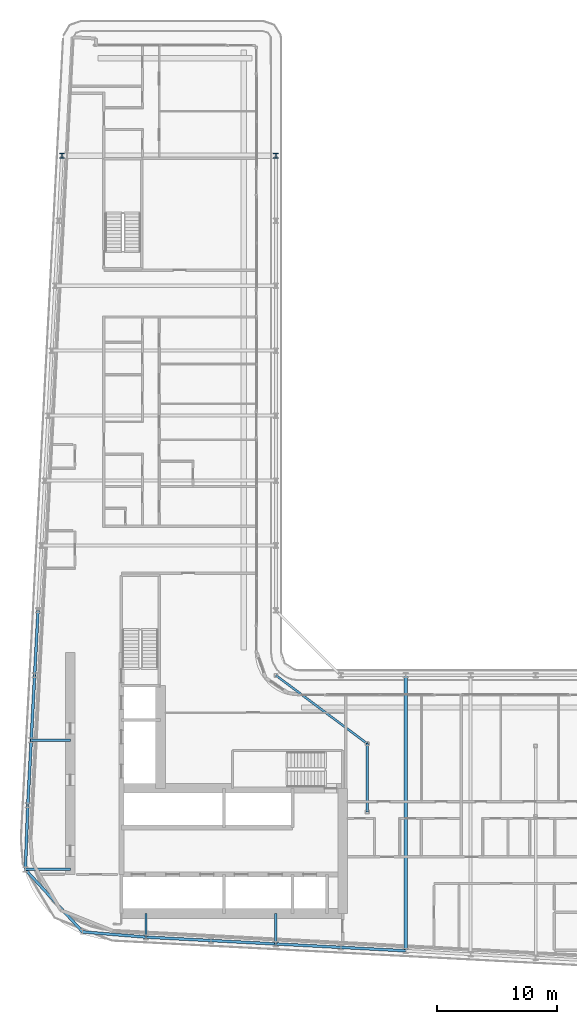
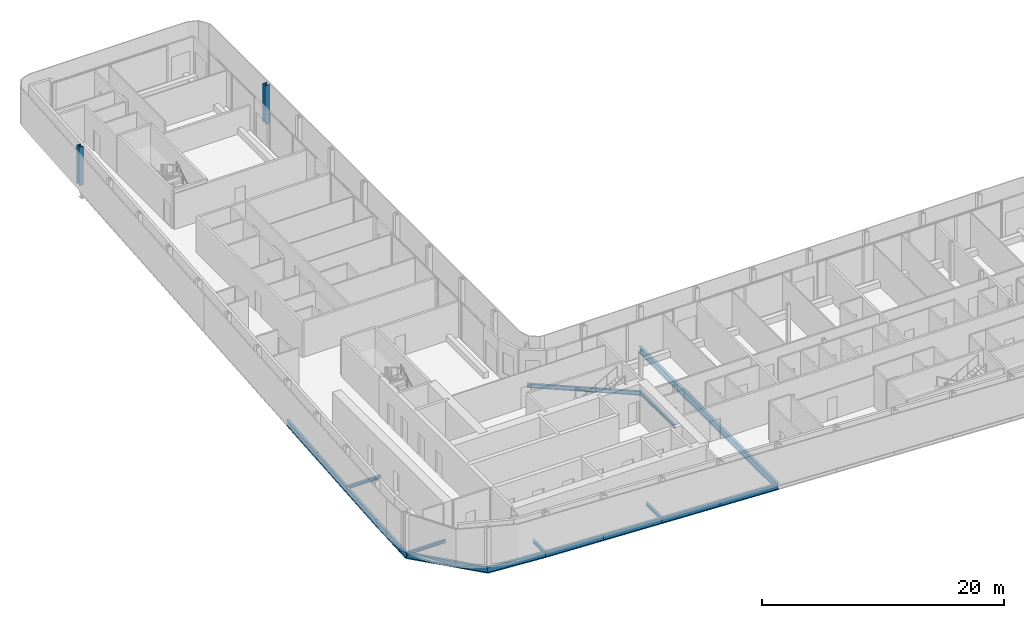
# One storey, part 5 of 29: 17 beams, 2 columns.
"""IFC4 building model written with IfcOpenShell, lengths in metres."""

from ifc_helpers import new_model, si_unit, direction, frame, origin, origin_2d, place, context, subcontext, project, spatial, i_section, extrude, material, material_profile, profile_set, type_object, element, save


model = new_model("IFC4")

# Units and contexts
model_context = context("Model", 3, precision=1e-05, world=origin(), true_north=direction((0.0, 1.0)))
body_context = subcontext(model_context, "Body", "Model", "MODEL_VIEW")
ifc_project = project(units=[si_unit("LENGTHUNIT", "METRE"), si_unit("AREAUNIT", "SQUARE_METRE"), si_unit("VOLUMEUNIT", "CUBIC_METRE"), si_unit("PLANEANGLEUNIT", "RADIAN"), si_unit("MASSUNIT", "GRAM", prefix="KILO")], contexts=[model_context])

# Site, building, storey
site_placement = place(None, origin())
site = spatial("IfcSite", under=ifc_project, at=site_placement, CompositionType="ELEMENT")
building_placement = place(site_placement, origin())
building = spatial("IfcBuilding", under=site, at=building_placement, Name="Kheshtan School and Residences Tower", CompositionType="ELEMENT")
storey_placement = place(building_placement, frame((0.0, 0.0, 172.10009765625)))
storey = spatial("IfcBuildingStorey", under=building, at=storey_placement, Name="L40", CompositionType="ELEMENT", Elevation=172.10009765625)

# Columns
ifc_material = material(Name="Steel ASTM A992 Grade 50", Category="steel")
ifc_material_profile_1 = material_profile(ifc_material, i_section(OverallWidth=0.408935546875, OverallDepth=0.425048828125, WebThickness=0.03271484375, FlangeThickness=0.052490234375, FilletRadius=0.0126953125, at=origin_2d()), Name="W360x421")
ifc_profile_set_1 = profile_set([ifc_material_profile_1], Name="Steel ASTM A992 Grade 50")
column_type = type_object("IfcColumnType", Name="Column C3 W360x421 ASTM A992 Grade 50", PredefinedType="COLUMN", material=ifc_profile_set_1)
for number, where, z_axis, x_axis, name in (
    (1, (29.81103515625, 88.800048828125, 0.0), (0.0, 0.0, 1.0), (1.0, 0.0, 0.0), "Column C098"),
    (2, (47.60009765625, 88.800048828125, 0.0), (0.0, 0.0, 1.0), (1.0, 0.0, 0.0), "Column C099"),
):
    element("IfcColumn", number, at=place(storey_placement, frame(where, z_axis=z_axis, x_axis=x_axis)), inside=storey, type_object=column_type, Name=name, PredefinedType="COLUMN", context=body_context, shape_type="SweptSolid", body=[
        extrude(i_section(OverallWidth=0.408935546875, OverallDepth=0.425048828125, WebThickness=0.03271484375, FlangeThickness=0.052490234375, FilletRadius=0.0126953125, at=origin_2d()), origin(), (0.0, 0.0, 1.0), 3.89990234375),
    ])

# Beams
ifc_material_profile_2 = material_profile(ifc_material, i_section(OverallWidth=0.202880859375, OverallDepth=0.302978515625, WebThickness=0.007568359375, FlangeThickness=0.01318359375, FilletRadius=0.009033203125, at=origin_2d()), Name="W310x60")
ifc_profile_set_2 = profile_set([ifc_material_profile_2], Name="Steel ASTM A992 Grade 50")
beam_type_1 = type_object("IfcBeamType", Name="Beam FB1 W310x60 ASTM A992 Grade 50", PredefinedType="BEAM", material=ifc_profile_set_2)
beam_1_placement = place(storey_placement, frame((47.60009765625, 23.263916015625, -0.301513671875), z_axis=(0.0, 1.0, 0.0), x_axis=(-1.0, 0.0, 0.0)))
element("IfcBeam", 3, at=beam_1_placement, inside=storey, type_object=beam_type_1, Name="Floor beam C020", PredefinedType="BEAM", context=body_context, shape_type="SweptSolid", body=[
    extrude(i_section(OverallWidth=0.202880859375, OverallDepth=0.302978515625, WebThickness=0.007568359375, FlangeThickness=0.01318359375, FilletRadius=0.009033203125, at=origin_2d()), origin(), (0.0, 0.0, 1.0), 2.5361328125),
])
beam_2_placement = place(storey_placement, frame((36.800048828125, 23.83203125, -0.301513671875), z_axis=(0.0, 1.0, 0.0), x_axis=(-1.0, 0.0, 0.0)))
element("IfcBeam", 4, at=beam_2_placement, inside=storey, type_object=beam_type_1, Name="Floor beam C022", PredefinedType="BEAM", context=body_context, shape_type="SweptSolid", body=[
    extrude(i_section(OverallWidth=0.202880859375, OverallDepth=0.302978515625, WebThickness=0.007568359375, FlangeThickness=0.01318359375, FilletRadius=0.009033203125, at=origin_2d()), origin(), (0.0, 0.0, 1.0), 1.968017578125),
])
beam_3_placement = place(storey_placement, frame((26.76611328125, 29.458984375, -0.301513671875), z_axis=(1.0, 0.0, 0.0), x_axis=(0.0, 1.0, 0.0)))
element("IfcBeam", 5, at=beam_3_placement, inside=storey, type_object=beam_type_1, Name="Floor beam C039", PredefinedType="BEAM", context=body_context, shape_type="SweptSolid", body=[
    extrude(i_section(OverallWidth=0.202880859375, OverallDepth=0.302978515625, WebThickness=0.007568359375, FlangeThickness=0.01318359375, FilletRadius=0.009033203125, at=origin_2d()), origin(), (0.0, 0.0, 1.0), 3.73388671875),
])
beam_4_placement = place(storey_placement, frame((27.2529296875, 40.199951171875, -0.301513671875), z_axis=(1.0, 0.0, 0.0), x_axis=(0.0, 1.0, 0.0)))
element("IfcBeam", 6, at=beam_4_placement, inside=storey, type_object=beam_type_1, Name="Floor beam C056", PredefinedType="BEAM", context=body_context, shape_type="SweptSolid", body=[
    extrude(i_section(OverallWidth=0.202880859375, OverallDepth=0.302978515625, WebThickness=0.007568359375, FlangeThickness=0.01318359375, FilletRadius=0.009033203125, at=origin_2d()), origin(), (0.0, 0.0, 1.0), 3.2470703125),
])
beam_5_placement = place(storey_placement, frame((55.199951171875, 34.23193359375, -0.301513671875), z_axis=(0.0, 1.0, 0.0), x_axis=(-1.0, 0.0, 0.0)))
element("IfcBeam", 7, at=beam_5_placement, inside=storey, type_object=beam_type_1, Name="Floor beam IC", PredefinedType="BEAM", context=body_context, shape_type="SweptSolid", body=[
    extrude(i_section(OverallWidth=0.202880859375, OverallDepth=0.302978515625, WebThickness=0.007568359375, FlangeThickness=0.01318359375, FilletRadius=0.009033203125, at=origin_2d()), origin(), (0.0, 0.0, 1.0), 5.68408203125),
])
ifc_material_profile_3 = material_profile(ifc_material, i_section(OverallWidth=0.180908203125, OverallDepth=0.4169921875, WebThickness=0.010986328125, FlangeThickness=0.018310546875, FilletRadius=0.012451171875, at=origin_2d()), Name="W410x85")
ifc_profile_set_3 = profile_set([ifc_material_profile_3], Name="Steel ASTM A992 Grade 50")
beam_type_2 = type_object("IfcBeamType", Name="Beam FB3 W410x85 ASTM A992 Grade 50", PredefinedType="BEAM", material=ifc_profile_set_3)
beam_6_placement = place(storey_placement, frame((47.60009765625, 45.60009765625, -0.358642578125), z_axis=(0.800798828004, -0.598933416222, 0.0), x_axis=(0.598933416222, 0.800798828004, 0.0)))
element("IfcBeam", 8, at=beam_6_placement, inside=storey, type_object=beam_type_2, Name="Floor beam IC", PredefinedType="BEAM", context=body_context, shape_type="SweptSolid", body=[
    extrude(i_section(OverallWidth=0.180908203125, OverallDepth=0.4169921875, WebThickness=0.010986328125, FlangeThickness=0.018310546875, FilletRadius=0.012451171875, at=origin_2d()), origin(), (0.0, 0.0, 1.0), 9.490234375),
])
ifc_material_profile_4 = material_profile(ifc_material, i_section(OverallWidth=0.2529296875, OverallDepth=0.677978515625, WebThickness=0.01171875, FlangeThickness=0.016357421875, FilletRadius=0.0146484375, at=origin_2d()), Name="W690x125")
ifc_profile_set_4 = profile_set([ifc_material_profile_4], Name="Steel ASTM A992 Grade 50")
beam_type_3 = type_object("IfcBeamType", Name="Beam FB6 W690x125 ASTM A992 Grade 50", PredefinedType="BEAM", material=ifc_profile_set_4)
beam_7_placement = place(storey_placement, frame((58.39990234375, 22.695068359375, -0.489013671875), z_axis=(0.0, 1.0, 0.0), x_axis=(-1.0, 0.0, 0.0)))
element("IfcBeam", 9, at=beam_7_placement, inside=storey, type_object=beam_type_3, Name="Floor beam C018", PredefinedType="BEAM", context=body_context, shape_type="SweptSolid", body=[
    extrude(i_section(OverallWidth=0.2529296875, OverallDepth=0.677978515625, WebThickness=0.01171875, FlangeThickness=0.016357421875, FilletRadius=0.0146484375, at=origin_2d()), origin(), (0.0, 0.0, 1.0), 22.905029296875),
])
ifc_material_profile_5 = material_profile(ifc_material, i_section(OverallWidth=0.22802734375, OverallDepth=0.60302734375, WebThickness=0.010498046875, FlangeThickness=0.014892578125, FilletRadius=0.013427734375, at=origin_2d()), Name="W610x101")
ifc_profile_set_5 = profile_set([ifc_material_profile_5], Name="Steel ASTM A992 Grade 50")
beam_type_4 = type_object("IfcBeamType", Name="Beam SP2 W610x101 ASTM A992 Grade 50", PredefinedType="BEAM", material=ifc_profile_set_5)
for number, where, z_axis, x_axis, name in (
    (10, (58.39990234375, 22.695068359375, -0.45166015625), (-0.998610961136, 0.052689166816, 0.0), (-0.052689166816, -0.998610961136, 0.0), "Spandrel beam C018-C019"),
    (11, (53.0, 22.97998046875, -0.45166015625), (-0.998620447272, 0.05250906864, 0.0), (-0.05250906864, -0.998620447272, 0.0), "Spandrel beam C019-C020"),
):
    element("IfcBeam", number, at=place(storey_placement, frame(where, z_axis=z_axis, x_axis=x_axis)), inside=storey, type_object=beam_type_4, Name=name, PredefinedType="BEAM", context=body_context, shape_type="SweptSolid", body=[
        extrude(i_section(OverallWidth=0.22802734375, OverallDepth=0.60302734375, WebThickness=0.010498046875, FlangeThickness=0.014892578125, FilletRadius=0.013427734375, at=origin_2d()), origin(), (0.0, 0.0, 1.0), 5.407470703125),
    ])
beam_8_placement = place(storey_placement, frame((47.60009765625, 23.263916015625, -0.45166015625), z_axis=(-0.998618203458, 0.052551724256, 0.0), x_axis=(-0.052551724256, -0.998618203458, 0.0)))
element("IfcBeam", 12, at=beam_8_placement, inside=storey, type_object=beam_type_4, Name="Spandrel beam C020-C021", PredefinedType="BEAM", context=body_context, shape_type="SweptSolid", body=[
    extrude(i_section(OverallWidth=0.22802734375, OverallDepth=0.60302734375, WebThickness=0.010498046875, FlangeThickness=0.014892578125, FilletRadius=0.013427734375, at=origin_2d()), origin(), (0.0, 0.0, 1.0), 5.40771484375),
])
beam_9_placement = place(storey_placement, frame((42.199951171875, 23.548095703125, -0.45166015625), z_axis=(-0.998620447272, 0.05250906864, 0.0), x_axis=(-0.05250906864, -0.998620447272, 0.0)))
element("IfcBeam", 13, at=beam_9_placement, inside=storey, type_object=beam_type_4, Name="Spandrel beam C021-C022", PredefinedType="BEAM", context=body_context, shape_type="SweptSolid", body=[
    extrude(i_section(OverallWidth=0.22802734375, OverallDepth=0.60302734375, WebThickness=0.010498046875, FlangeThickness=0.014892578125, FilletRadius=0.013427734375, at=origin_2d()), origin(), (0.0, 0.0, 1.0), 5.407470703125),
])
beam_10_placement = place(storey_placement, frame((36.800048828125, 23.83203125, -0.45166015625), z_axis=(-0.996622413395, 0.082120430578, 0.0), x_axis=(-0.082120430578, -0.996622413395, 0.0)))
element("IfcBeam", 14, at=beam_10_placement, inside=storey, type_object=beam_type_4, Name="Spandrel beam C022-C026", PredefinedType="BEAM", context=body_context, shape_type="SweptSolid", body=[
    extrude(i_section(OverallWidth=0.22802734375, OverallDepth=0.60302734375, WebThickness=0.010498046875, FlangeThickness=0.014892578125, FilletRadius=0.013427734375, at=origin_2d()), origin(), (0.0, 0.0, 1.0), 5.285888671875),
])
beam_11_placement = place(storey_placement, frame((31.531982421875, 24.26611328125, -0.45166015625), z_axis=(-0.676166826568, 0.736748547775, 0.0), x_axis=(-0.736748547775, -0.676166826568, 0.0)))
element("IfcBeam", 15, at=beam_11_placement, inside=storey, type_object=beam_type_4, Name="Spandrel beam C026-C039", PredefinedType="BEAM", context=body_context, shape_type="SweptSolid", body=[
    extrude(i_section(OverallWidth=0.22802734375, OverallDepth=0.60302734375, WebThickness=0.010498046875, FlangeThickness=0.014892578125, FilletRadius=0.013427734375, at=origin_2d()), origin(), (0.0, 0.0, 1.0), 7.04833984375),
])
beam_12_placement = place(storey_placement, frame((26.76611328125, 29.458984375, -0.45166015625), z_axis=(0.037957724389, 0.999279345908, 0.0), x_axis=(-0.999279345908, 0.037957724389, 0.0)))
element("IfcBeam", 16, at=beam_12_placement, inside=storey, type_object=beam_type_4, Name="Spandrel beam C039-C052", PredefinedType="BEAM", context=body_context, shape_type="SweptSolid", body=[
    extrude(i_section(OverallWidth=0.22802734375, OverallDepth=0.60302734375, WebThickness=0.010498046875, FlangeThickness=0.014892578125, FilletRadius=0.013427734375, at=origin_2d()), origin(), (0.0, 0.0, 1.0), 5.344970703125),
])
beam_13_placement = place(storey_placement, frame((26.968994140625, 34.800048828125, -0.45166015625), z_axis=(0.05250906864, 0.998620447272, 0.0), x_axis=(-0.998620447272, 0.05250906864, 0.0)))
element("IfcBeam", 17, at=beam_13_placement, inside=storey, type_object=beam_type_4, Name="Spandrel beam C052-C056", PredefinedType="BEAM", context=body_context, shape_type="SweptSolid", body=[
    extrude(i_section(OverallWidth=0.22802734375, OverallDepth=0.60302734375, WebThickness=0.010498046875, FlangeThickness=0.014892578125, FilletRadius=0.013427734375, at=origin_2d()), origin(), (0.0, 0.0, 1.0), 5.407470703125),
])
beam_14_placement = place(storey_placement, frame((27.2529296875, 40.199951171875, -0.45166015625), z_axis=(0.052551724256, 0.998618203458, 0.0), x_axis=(-0.998618203458, 0.052551724256, 0.0)))
element("IfcBeam", 18, at=beam_14_placement, inside=storey, type_object=beam_type_4, Name="Spandrel beam C056-C059", PredefinedType="BEAM", context=body_context, shape_type="SweptSolid", body=[
    extrude(i_section(OverallWidth=0.22802734375, OverallDepth=0.60302734375, WebThickness=0.010498046875, FlangeThickness=0.014892578125, FilletRadius=0.013427734375, at=origin_2d()), origin(), (0.0, 0.0, 1.0), 5.40771484375),
])
beam_15_placement = place(storey_placement, frame((27.537109375, 45.60009765625, -0.45166015625), z_axis=(0.052689166816, 0.998610961136, 0.0), x_axis=(-0.998610961136, 0.052689166816, 0.0)))
element("IfcBeam", 19, at=beam_15_placement, inside=storey, type_object=beam_type_4, Name="Spandrel beam C059-C078", PredefinedType="BEAM", context=body_context, shape_type="SweptSolid", body=[
    extrude(i_section(OverallWidth=0.22802734375, OverallDepth=0.60302734375, WebThickness=0.010498046875, FlangeThickness=0.014892578125, FilletRadius=0.013427734375, at=origin_2d()), origin(), (0.0, 0.0, 1.0), 5.407470703125),
])

save(model, "model.ifc")
